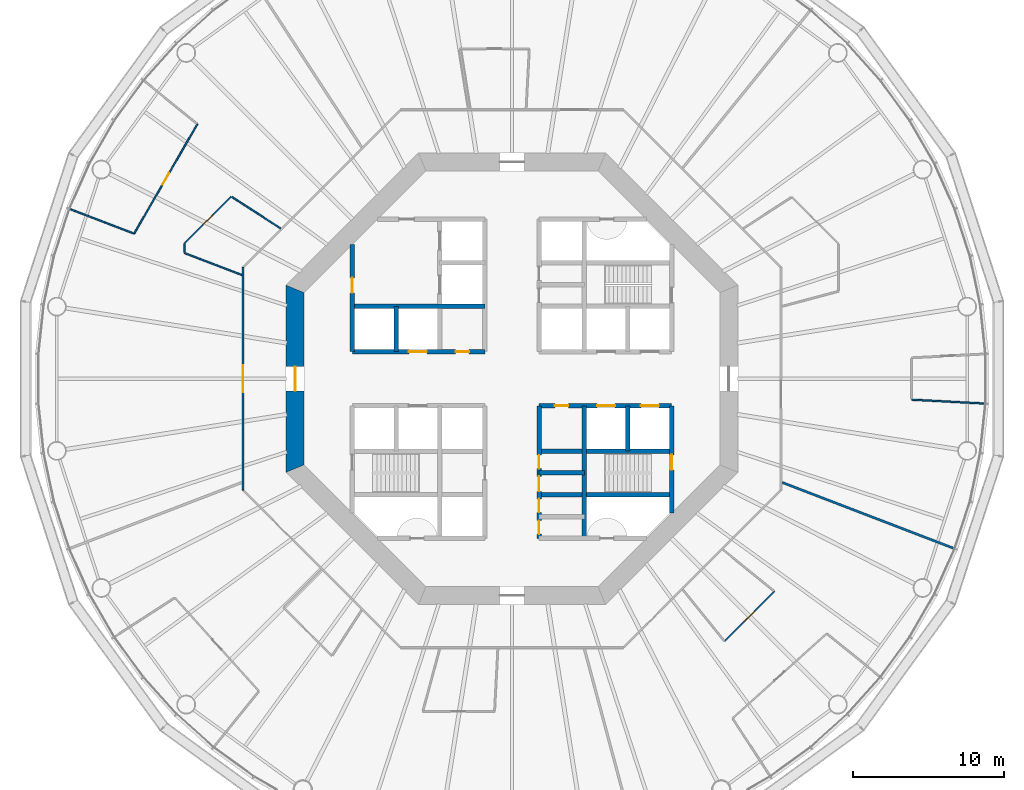
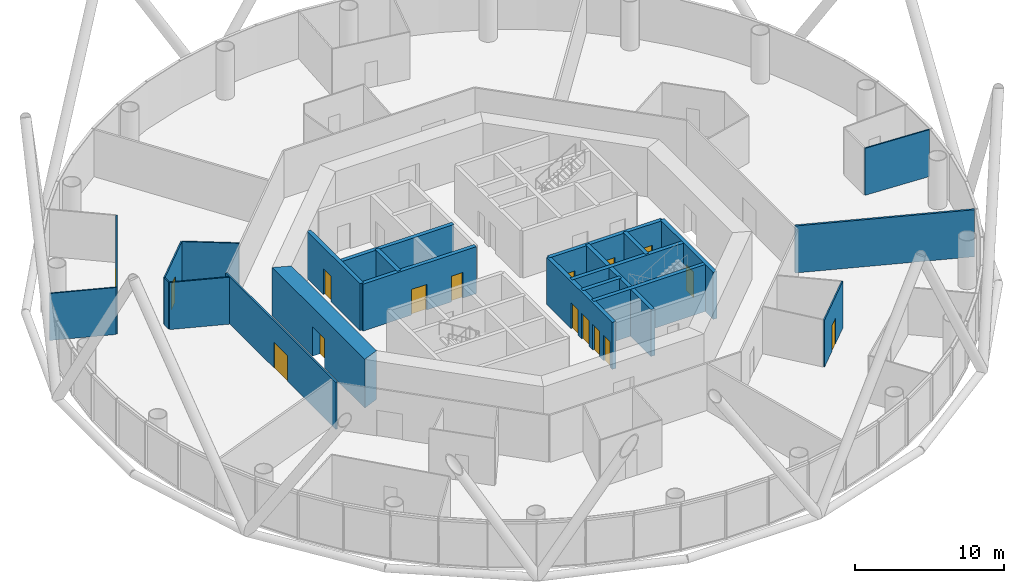
# One storey, part 4 of 13: 23 walls, 16 doors, 16 openings.
"""IFC4 building model written with IfcOpenShell, lengths in metres."""

from ifc_helpers import new_model, si_unit, direction, frame, frame_2d, origin, place, context, subcontext, project, spatial, polyline, rectangle, outline, extrude, material, layer, layer_set, type_object, element, fill, save


model = new_model("IFC4")

# Units and contexts
model_context = context("Model", 3, precision=1e-05, world=origin(), true_north=direction((0.0, 1.0)))
body_context = subcontext(model_context, "Body", "Model", "MODEL_VIEW")
ifc_project = project(units=[si_unit("LENGTHUNIT", "METRE"), si_unit("AREAUNIT", "SQUARE_METRE"), si_unit("VOLUMEUNIT", "CUBIC_METRE"), si_unit("PLANEANGLEUNIT", "RADIAN"), si_unit("MASSUNIT", "GRAM", prefix="KILO")], contexts=[model_context])

# Site, building, storey
site_placement = place(None, origin())
site = spatial("IfcSite", under=ifc_project, at=site_placement, CompositionType="ELEMENT")
building_placement = place(site_placement, origin())
building = spatial("IfcBuilding", under=site, at=building_placement, Name="Entoto Ring Tower", CompositionType="ELEMENT")
storey_placement = place(building_placement, frame((0.0, 0.0, 116.0)))
storey = spatial("IfcBuildingStorey", under=building, at=storey_placement, Name="L26", CompositionType="ELEMENT", Elevation=116.0)

# Wall, opening, door
ifc_material_1 = material(Name="Concrete C40/50", Category="concrete")
ifc_layer_1 = layer(ifc_material_1, 0.300048828125)
ifc_layer_set_1 = layer_set([ifc_layer_1], Name="Concrete C40/50")
wall_type_1 = type_object("IfcWallType", Name="Core enclosure wall 300 mm reinforced concrete", PredefinedType="SOLIDWALL", material=ifc_layer_set_1)
wall_1_placement = place(storey_placement, frame((100.60009765625, 71.083984375, 0.0), z_axis=(0.0, 0.0, 1.0), x_axis=(0.0, 1.0, 0.0)))
wall_1 = element("IfcWall", 1, at=wall_1_placement, inside=storey, type_object=wall_type_1, Name="wall-L26-001", PredefinedType="SOLIDWALL", context=body_context, shape_type="SweptSolid", body=[
    extrude(rectangle(XDim=7.115966796875, YDim=0.300048828125, at=frame_2d((3.55810546875, 0.0))), origin(), (0.0, 0.0, 1.0), 3.85009765625),
])
opening_1_placement = place(wall_1_placement, frame((2.8662109375, 0.0, 0.0)))
opening_1 = element("IfcOpeningElement", 2, at=opening_1_placement, cuts=wall_1, Name="Opening K-22", PredefinedType="OPENING", context=body_context, shape_type="SweptSolid", body=[
    extrude(rectangle(XDim=1.0, YDim=2.10009765625, at=frame_2d((0.5, 1.050048828125))), frame((0.0, 0.16015625, 0.0), z_axis=(0.0, -1.0, 0.0), x_axis=(1.0, 0.0, 0.0)), (0.0, 0.0, 1.0), 0.320068359375),
])
ifc_material_2 = material(Name="Steel door leaf, fire rated", Category="steel")
ifc_layer_2 = layer(ifc_material_2, 0.050048828125)
ifc_layer_set_2 = layer_set([ifc_layer_2], Name="Steel door leaf, fire rated")
door_type_1 = type_object("IfcDoorType", Name="Fire door FD60 1000 x 2100 single leaf", OperationType="NOTDEFINED", PredefinedType="DOOR", material=ifc_layer_set_2)
door_1_placement = place(opening_1_placement, origin())
door_1 = element("IfcDoor", 3, at=door_1_placement, inside=storey, type_object=door_type_1, Name="Door K-22", OperationType="SINGLE_SWING_RIGHT", OverallHeight=2.10009765625, OverallWidth=1.0, PredefinedType="DOOR", context=body_context, shape_type="SweptSolid", body=[
    extrude(rectangle(XDim=1.0, YDim=2.10009765625, at=frame_2d((0.5, 1.050048828125))), frame((0.0, 0.02490234375, 0.0), z_axis=(0.0, -1.0, 0.0), x_axis=(1.0, 0.0, 0.0)), (0.0, 0.0, 1.0), 0.050048828125),
])
fill(opening_1, door_1)

# Walls
wall_2_placement = place(storey_placement, frame((97.699951171875, 75.199951171875, 0.0), z_axis=(0.0, 0.0, 1.0), x_axis=(0.0, 1.0, 0.0)))
element("IfcWall", 4, at=wall_2_placement, inside=storey, type_object=wall_type_1, Name="wall-L26-003", PredefinedType="SOLIDWALL", context=body_context, shape_type="SweptSolid", body=[
    extrude(rectangle(XDim=3.0, YDim=0.300048828125, at=frame_2d((1.5, 0.0))), origin(), (0.0, 0.0, 1.0), 3.85009765625),
])
wall_3_placement = place(storey_placement, frame((94.800048828125, 69.39990234375, 0.0), z_axis=(0.0, 0.0, 1.0), x_axis=(0.0, 1.0, 0.0)))
element("IfcWall", 5, at=wall_3_placement, inside=storey, type_object=wall_type_1, Name="wall-L26-005", PredefinedType="SOLIDWALL", context=body_context, shape_type="SweptSolid", body=[
    extrude(rectangle(XDim=8.800048828125, YDim=0.300048828125, at=frame_2d((4.39990234375, 0.0))), origin(), (0.0, 0.0, 1.0), 3.85009765625),
])

# Wall, openings, doors
wall_4_placement = place(storey_placement, frame((91.800048828125, 69.39990234375, 0.0), z_axis=(0.0, 0.0, 1.0), x_axis=(0.0, 1.0, 0.0)))
wall_4 = element("IfcWall", 6, at=wall_4_placement, inside=storey, type_object=wall_type_1, Name="wall-L26-007", PredefinedType="SOLIDWALL", context=body_context, shape_type="SweptSolid", body=[
    extrude(rectangle(XDim=8.800048828125, YDim=0.300048828125, at=frame_2d((4.39990234375, 0.0))), origin(), (0.0, 0.0, 1.0), 3.85009765625),
])
opening_2_placement = place(wall_4_placement, frame((3.125, 0.0, 0.0)))
opening_2 = element("IfcOpeningElement", 7, at=opening_2_placement, cuts=wall_4, Name="Opening K-13", PredefinedType="OPENING", context=body_context, shape_type="SweptSolid", body=[
    extrude(rectangle(XDim=1.0, YDim=2.10009765625, at=frame_2d((0.5, 1.050048828125))), frame((0.0, 0.16015625, 0.0), z_axis=(0.0, -1.0, 0.0), x_axis=(1.0, 0.0, 0.0)), (0.0, 0.0, 1.0), 0.320068359375),
])
opening_3_placement = place(wall_4_placement, frame((4.625, 0.0, 0.0)))
opening_3 = element("IfcOpeningElement", 8, at=opening_3_placement, cuts=wall_4, Name="Opening K-14", PredefinedType="OPENING", context=body_context, shape_type="SweptSolid", body=[
    extrude(rectangle(XDim=0.89990234375, YDim=2.10009765625, at=frame_2d((0.449951171875, 1.050048828125))), frame((0.0, 0.16015625, 0.0), z_axis=(0.0, -1.0, 0.0), x_axis=(1.0, 0.0, 0.0)), (0.0, 0.0, 1.0), 0.320068359375),
])
opening_4_placement = place(wall_4_placement, frame((0.27490234375, 0.0, 0.0)))
opening_4 = element("IfcOpeningElement", 9, at=opening_4_placement, cuts=wall_4, Name="Opening K-15", PredefinedType="OPENING", context=body_context, shape_type="SweptSolid", body=[
    extrude(rectangle(XDim=0.89990234375, YDim=2.10009765625, at=frame_2d((0.449951171875, 1.050048828125))), frame((0.0, 0.16015625, 0.0), z_axis=(0.0, -1.0, 0.0), x_axis=(1.0, 0.0, 0.0)), (0.0, 0.0, 1.0), 0.320068359375),
])
opening_5_placement = place(wall_4_placement, frame((1.72509765625, 0.0, 0.0)))
opening_5 = element("IfcOpeningElement", 10, at=opening_5_placement, cuts=wall_4, Name="Opening K-16", PredefinedType="OPENING", context=body_context, shape_type="SweptSolid", body=[
    extrude(rectangle(XDim=0.89990234375, YDim=2.10009765625, at=frame_2d((0.449951171875, 1.050048828125))), frame((0.0, 0.16015625, 0.0), z_axis=(0.0, -1.0, 0.0), x_axis=(1.0, 0.0, 0.0)), (0.0, 0.0, 1.0), 0.320068359375),
])
ifc_material_3 = material(Name="Steel door leaf, fire rated", Category="steel")
ifc_layer_3 = layer(ifc_material_3, 0.050048828125)
ifc_layer_set_3 = layer_set([ifc_layer_3], Name="Steel door leaf, fire rated")
door_type_2 = type_object("IfcDoorType", Name="Accessible door 1000 x 2100 single leaf", OperationType="NOTDEFINED", PredefinedType="DOOR", material=ifc_layer_set_3)
door_2_placement = place(opening_2_placement, frame((1.0, 0.0, 0.0), z_axis=(0.0, 0.0, 1.0), x_axis=(-1.0, 0.0, 0.0)))
door_2 = element("IfcDoor", 11, at=door_2_placement, inside=storey, type_object=door_type_2, Name="Door K-13", OperationType="SINGLE_SWING_LEFT", OverallHeight=2.10009765625, OverallWidth=1.0, PredefinedType="DOOR", context=body_context, shape_type="SweptSolid", body=[
    extrude(rectangle(XDim=1.0, YDim=2.10009765625, at=frame_2d((0.5, 1.050048828125))), frame((0.0, 0.02490234375, 0.0), z_axis=(0.0, -1.0, 0.0), x_axis=(1.0, 0.0, 0.0)), (0.0, 0.0, 1.0), 0.050048828125),
])
fill(opening_2, door_2)
ifc_material_4 = material(Name="Steel door leaf, fire rated", Category="steel")
ifc_layer_4 = layer(ifc_material_4, 0.050048828125)
ifc_layer_set_4 = layer_set([ifc_layer_4], Name="Steel door leaf, fire rated")
door_type_3 = type_object("IfcDoorType", Name="Core door 900 x 2100 single leaf", OperationType="NOTDEFINED", PredefinedType="DOOR", material=ifc_layer_set_4)
door_3_placement = place(opening_3_placement, frame((0.89990234375, 0.0, 0.0), z_axis=(0.0, 0.0, 1.0), x_axis=(-1.0, 0.0, 0.0)))
door_3 = element("IfcDoor", 12, at=door_3_placement, inside=storey, type_object=door_type_3, Name="Door K-14", OperationType="SINGLE_SWING_LEFT", OverallHeight=2.10009765625, OverallWidth=0.89990234375, PredefinedType="DOOR", context=body_context, shape_type="SweptSolid", body=[
    extrude(rectangle(XDim=0.89990234375, YDim=2.10009765625, at=frame_2d((0.449951171875, 1.050048828125))), frame((0.0, 0.02490234375, 0.0), z_axis=(0.0, -1.0, 0.0), x_axis=(1.0, 0.0, 0.0)), (0.0, 0.0, 1.0), 0.050048828125),
])
fill(opening_3, door_3)
door_4_placement = place(opening_4_placement, frame((0.89990234375, 0.0, 0.0), z_axis=(0.0, 0.0, 1.0), x_axis=(-1.0, 0.0, 0.0)))
door_4 = element("IfcDoor", 13, at=door_4_placement, inside=storey, type_object=door_type_3, Name="Door K-15", OperationType="SINGLE_SWING_LEFT", OverallHeight=2.10009765625, OverallWidth=0.89990234375, PredefinedType="DOOR", context=body_context, shape_type="SweptSolid", body=[
    extrude(rectangle(XDim=0.89990234375, YDim=2.10009765625, at=frame_2d((0.449951171875, 1.050048828125))), frame((0.0, 0.02490234375, 0.0), z_axis=(0.0, -1.0, 0.0), x_axis=(1.0, 0.0, 0.0)), (0.0, 0.0, 1.0), 0.050048828125),
])
fill(opening_4, door_4)
door_5_placement = place(opening_5_placement, frame((0.89990234375, 0.0, 0.0), z_axis=(0.0, 0.0, 1.0), x_axis=(-1.0, 0.0, 0.0)))
door_5 = element("IfcDoor", 14, at=door_5_placement, inside=storey, type_object=door_type_3, Name="Door K-16", OperationType="SINGLE_SWING_LEFT", OverallHeight=2.10009765625, OverallWidth=0.89990234375, PredefinedType="DOOR", context=body_context, shape_type="SweptSolid", body=[
    extrude(rectangle(XDim=0.89990234375, YDim=2.10009765625, at=frame_2d((0.449951171875, 1.050048828125))), frame((0.0, 0.02490234375, 0.0), z_axis=(0.0, -1.0, 0.0), x_axis=(1.0, 0.0, 0.0)), (0.0, 0.0, 1.0), 0.050048828125),
])
fill(opening_5, door_5)

# Wall
wall_5_placement = place(storey_placement, frame((82.300048828125, 81.800048828125, 0.0), z_axis=(0.0, 0.0, 1.0), x_axis=(0.0, 1.0, 0.0)))
element("IfcWall", 15, at=wall_5_placement, inside=storey, type_object=wall_type_1, Name="wall-L26-014", PredefinedType="SOLIDWALL", context=body_context, shape_type="SweptSolid", body=[
    extrude(rectangle(XDim=3.0, YDim=0.300048828125, at=frame_2d((1.5, 0.0))), origin(), (0.0, 0.0, 1.0), 3.85009765625),
])

# Wall, opening, door
wall_6_placement = place(storey_placement, frame((79.39990234375, 81.800048828125, 0.0), z_axis=(0.0, 0.0, 1.0), x_axis=(0.0, 1.0, 0.0)))
wall_6 = element("IfcWall", 16, at=wall_6_placement, inside=storey, type_object=wall_type_1, Name="wall-L26-016", PredefinedType="SOLIDWALL", context=body_context, shape_type="SweptSolid", body=[
    extrude(rectangle(XDim=7.115966796875, YDim=0.300048828125, at=frame_2d((3.55810546875, 0.0))), origin(), (0.0, 0.0, 1.0), 3.85009765625),
])
opening_6_placement = place(wall_6_placement, frame((3.89990234375, 0.0, 0.0)))
opening_6 = element("IfcOpeningElement", 17, at=opening_6_placement, cuts=wall_6, Name="Opening K-26", PredefinedType="OPENING", context=body_context, shape_type="SweptSolid", body=[
    extrude(rectangle(XDim=1.0, YDim=2.10009765625, at=frame_2d((0.5, 1.050048828125))), frame((0.0, 0.16015625, 0.0), z_axis=(0.0, -1.0, 0.0), x_axis=(1.0, 0.0, 0.0)), (0.0, 0.0, 1.0), 0.320068359375),
])
door_6_placement = place(opening_6_placement, frame((1.0, 0.0, 0.0), z_axis=(0.0, 0.0, 1.0), x_axis=(-1.0, 0.0, 0.0)))
door_6 = element("IfcDoor", 18, at=door_6_placement, inside=storey, type_object=door_type_1, Name="Door K-26", OperationType="SINGLE_SWING_LEFT", OverallHeight=2.10009765625, OverallWidth=1.0, PredefinedType="DOOR", context=body_context, shape_type="SweptSolid", body=[
    extrude(rectangle(XDim=1.0, YDim=2.10009765625, at=frame_2d((0.5, 1.050048828125))), frame((0.0, 0.02490234375, 0.0), z_axis=(0.0, -1.0, 0.0), x_axis=(1.0, 0.0, 0.0)), (0.0, 0.0, 1.0), 0.050048828125),
])
fill(opening_6, door_6)

# Walls
wall_7_placement = place(storey_placement, frame((91.800048828125, 72.300048828125, 0.0), z_axis=(0.0, 0.0, 1.0), x_axis=(1.0, 0.0, 0.0)))
element("IfcWall", 19, at=wall_7_placement, inside=storey, type_object=wall_type_1, Name="wall-L26-021", PredefinedType="SOLIDWALL", context=body_context, shape_type="SweptSolid", body=[
    extrude(rectangle(XDim=8.800048828125, YDim=0.300048828125, at=frame_2d((4.39990234375, 0.0))), origin(), (0.0, 0.0, 1.0), 3.85009765625),
])
wall_8_placement = place(storey_placement, frame((91.800048828125, 73.75, 0.0), z_axis=(0.0, 0.0, 1.0), x_axis=(1.0, 0.0, 0.0)))
element("IfcWall", 20, at=wall_8_placement, inside=storey, type_object=wall_type_1, Name="wall-L26-022", PredefinedType="SOLIDWALL", context=body_context, shape_type="SweptSolid", body=[
    extrude(rectangle(XDim=3.0, YDim=0.300048828125, at=frame_2d((1.5, 0.0))), origin(), (0.0, 0.0, 1.0), 3.85009765625),
])
wall_9_placement = place(storey_placement, frame((91.800048828125, 75.199951171875, 0.0), z_axis=(0.0, 0.0, 1.0), x_axis=(1.0, 0.0, 0.0)))
element("IfcWall", 21, at=wall_9_placement, inside=storey, type_object=wall_type_1, Name="wall-L26-024", PredefinedType="SOLIDWALL", context=body_context, shape_type="SweptSolid", body=[
    extrude(rectangle(XDim=8.800048828125, YDim=0.300048828125, at=frame_2d((4.39990234375, 0.0))), origin(), (0.0, 0.0, 1.0), 3.85009765625),
])

# Wall, openings, doors
wall_10_placement = place(storey_placement, frame((91.800048828125, 78.199951171875, 0.0), z_axis=(0.0, 0.0, 1.0), x_axis=(1.0, 0.0, 0.0)))
wall_10 = element("IfcWall", 22, at=wall_10_placement, inside=storey, type_object=wall_type_1, Name="wall-L26-026", PredefinedType="SOLIDWALL", context=body_context, shape_type="SweptSolid", body=[
    extrude(rectangle(XDim=8.800048828125, YDim=0.300048828125, at=frame_2d((4.39990234375, 0.0))), origin(), (0.0, 0.0, 1.0), 3.85009765625),
])
opening_7_placement = place(wall_10_placement, frame((3.85009765625, 0.0, 0.0)))
opening_7 = element("IfcOpeningElement", 23, at=opening_7_placement, cuts=wall_10, Name="Opening LD", PredefinedType="OPENING", context=body_context, shape_type="SweptSolid", body=[
    extrude(rectangle(XDim=1.199951171875, YDim=2.10009765625, at=frame_2d((0.60009765625, 1.050048828125))), frame((0.0, 0.16015625, 0.0), z_axis=(0.0, -1.0, 0.0), x_axis=(1.0, 0.0, 0.0)), (0.0, 0.0, 1.0), 0.320068359375),
])
opening_8_placement = place(wall_10_placement, frame((6.75, 0.0, 0.0)))
opening_8 = element("IfcOpeningElement", 24, at=opening_8_placement, cuts=wall_10, Name="Opening LD", PredefinedType="OPENING", context=body_context, shape_type="SweptSolid", body=[
    extrude(rectangle(XDim=1.199951171875, YDim=2.10009765625, at=frame_2d((0.60009765625, 1.050048828125))), frame((0.0, 0.16015625, 0.0), z_axis=(0.0, -1.0, 0.0), x_axis=(1.0, 0.0, 0.0)), (0.0, 0.0, 1.0), 0.320068359375),
])
opening_9_placement = place(wall_10_placement, frame((1.050048828125, 0.0, 0.0)))
opening_9 = element("IfcOpeningElement", 25, at=opening_9_placement, cuts=wall_10, Name="Opening K-19", PredefinedType="OPENING", context=body_context, shape_type="SweptSolid", body=[
    extrude(rectangle(XDim=0.89990234375, YDim=2.10009765625, at=frame_2d((0.449951171875, 1.050048828125))), frame((0.0, 0.16015625, 0.0), z_axis=(0.0, -1.0, 0.0), x_axis=(1.0, 0.0, 0.0)), (0.0, 0.0, 1.0), 0.320068359375),
])
door_7_placement = place(opening_9_placement, frame((0.89990234375, 0.0, 0.0), z_axis=(0.0, 0.0, 1.0), x_axis=(-1.0, 0.0, 0.0)))
door_7 = element("IfcDoor", 26, at=door_7_placement, inside=storey, type_object=door_type_3, Name="Door K-19", OperationType="SINGLE_SWING_RIGHT", OverallHeight=2.10009765625, OverallWidth=0.89990234375, PredefinedType="DOOR", context=body_context, shape_type="SweptSolid", body=[
    extrude(rectangle(XDim=0.89990234375, YDim=2.10009765625, at=frame_2d((0.449951171875, 1.050048828125))), frame((0.0, 0.02490234375, 0.0), z_axis=(0.0, -1.0, 0.0), x_axis=(1.0, 0.0, 0.0)), (0.0, 0.0, 1.0), 0.050048828125),
])
fill(opening_9, door_7)
ifc_material_5 = material(Name="Steel and glass door leaf", Category="steel")
ifc_layer_5 = layer(ifc_material_5, 0.050048828125)
ifc_layer_set_5 = layer_set([ifc_layer_5], Name="Steel and glass door leaf")
door_type_4 = type_object("IfcDoorType", Name="Landing door 1200 x 2100 sliding", OperationType="DOUBLE_DOOR_SLIDING", PredefinedType="DOOR", material=ifc_layer_set_5)
door_8_placement = place(opening_7_placement, origin())
door_8 = element("IfcDoor", 27, at=door_8_placement, inside=storey, type_object=door_type_4, Name="Landing door LB4-LR", OperationType="SLIDING_TO_RIGHT", OverallHeight=2.10009765625, OverallWidth=1.199951171875, PredefinedType="DOOR", context=body_context, shape_type="SweptSolid", body=[
    extrude(rectangle(XDim=1.199951171875, YDim=2.10009765625, at=frame_2d((0.60009765625, 1.050048828125))), frame((0.0, 0.02490234375, 0.0), z_axis=(0.0, -1.0, 0.0), x_axis=(1.0, 0.0, 0.0)), (0.0, 0.0, 1.0), 0.050048828125),
])
fill(opening_7, door_8)
door_9_placement = place(opening_8_placement, origin())
door_9 = element("IfcDoor", 28, at=door_9_placement, inside=storey, type_object=door_type_4, Name="Landing door LB5-LR", OperationType="SLIDING_TO_RIGHT", OverallHeight=2.10009765625, OverallWidth=1.199951171875, PredefinedType="DOOR", context=body_context, shape_type="SweptSolid", body=[
    extrude(rectangle(XDim=1.199951171875, YDim=2.10009765625, at=frame_2d((0.60009765625, 1.050048828125))), frame((0.0, 0.02490234375, 0.0), z_axis=(0.0, -1.0, 0.0), x_axis=(1.0, 0.0, 0.0)), (0.0, 0.0, 1.0), 0.050048828125),
])
fill(opening_8, door_9)

wall_11_placement = place(storey_placement, frame((79.39990234375, 81.800048828125, 0.0), z_axis=(0.0, 0.0, 1.0), x_axis=(1.0, 0.0, 0.0)))
wall_11 = element("IfcWall", 29, at=wall_11_placement, inside=storey, type_object=wall_type_1, Name="wall-L26-027", PredefinedType="SOLIDWALL", context=body_context, shape_type="SweptSolid", body=[
    extrude(rectangle(XDim=8.800048828125, YDim=0.300048828125, at=frame_2d((4.39990234375, 0.0))), origin(), (0.0, 0.0, 1.0), 3.85009765625),
])
opening_10_placement = place(wall_11_placement, frame((3.75, 0.0, 0.0)))
opening_10 = element("IfcOpeningElement", 30, at=opening_10_placement, cuts=wall_11, Name="Opening LD", PredefinedType="OPENING", context=body_context, shape_type="SweptSolid", body=[
    extrude(rectangle(XDim=1.199951171875, YDim=2.10009765625, at=frame_2d((0.60009765625, 1.050048828125))), frame((0.0, 0.16015625, 0.0), z_axis=(0.0, -1.0, 0.0), x_axis=(1.0, 0.0, 0.0)), (0.0, 0.0, 1.0), 0.320068359375),
])
opening_11_placement = place(wall_11_placement, frame((6.85009765625, 0.0, 0.0)))
opening_11 = element("IfcOpeningElement", 31, at=opening_11_placement, cuts=wall_11, Name="Opening K-18", PredefinedType="OPENING", context=body_context, shape_type="SweptSolid", body=[
    extrude(rectangle(XDim=0.89990234375, YDim=2.10009765625, at=frame_2d((0.449951171875, 1.050048828125))), frame((0.0, 0.16015625, 0.0), z_axis=(0.0, -1.0, 0.0), x_axis=(1.0, 0.0, 0.0)), (0.0, 0.0, 1.0), 0.320068359375),
])
door_10_placement = place(opening_11_placement, frame((0.89990234375, 0.0, 0.0), z_axis=(0.0, 0.0, 1.0), x_axis=(-1.0, 0.0, 0.0)))
door_10 = element("IfcDoor", 32, at=door_10_placement, inside=storey, type_object=door_type_3, Name="Door K-18", OperationType="SINGLE_SWING_RIGHT", OverallHeight=2.10009765625, OverallWidth=0.89990234375, PredefinedType="DOOR", context=body_context, shape_type="SweptSolid", body=[
    extrude(rectangle(XDim=0.89990234375, YDim=2.10009765625, at=frame_2d((0.449951171875, 1.050048828125))), frame((0.0, 0.02490234375, 0.0), z_axis=(0.0, -1.0, 0.0), x_axis=(1.0, 0.0, 0.0)), (0.0, 0.0, 1.0), 0.050048828125),
])
fill(opening_11, door_10)
door_11_placement = place(opening_10_placement, origin())
door_11 = element("IfcDoor", 33, at=door_11_placement, inside=storey, type_object=door_type_4, Name="Landing door LB3-LR", OperationType="SLIDING_TO_RIGHT", OverallHeight=2.10009765625, OverallWidth=1.199951171875, PredefinedType="DOOR", context=body_context, shape_type="SweptSolid", body=[
    extrude(rectangle(XDim=1.199951171875, YDim=2.10009765625, at=frame_2d((0.60009765625, 1.050048828125))), frame((0.0, 0.02490234375, 0.0), z_axis=(0.0, -1.0, 0.0), x_axis=(1.0, 0.0, 0.0)), (0.0, 0.0, 1.0), 0.050048828125),
])
fill(opening_10, door_11)

# Wall
wall_12_placement = place(storey_placement, frame((79.39990234375, 84.800048828125, 0.0), z_axis=(0.0, 0.0, 1.0), x_axis=(1.0, 0.0, 0.0)))
element("IfcWall", 34, at=wall_12_placement, inside=storey, type_object=wall_type_1, Name="wall-L26-029", PredefinedType="SOLIDWALL", context=body_context, shape_type="SweptSolid", body=[
    extrude(rectangle(XDim=8.800048828125, YDim=0.300048828125, at=frame_2d((4.39990234375, 0.0))), origin(), (0.0, 0.0, 1.0), 3.85009765625),
])

# Wall, opening, door
ifc_material_6 = material(Name="Concrete C60/75", Category="concrete")
ifc_layer_6 = layer(ifc_material_6, 1.199951171875)
ifc_layer_set_6 = layer_set([ifc_layer_6], Name="Concrete C60/75")
wall_type_2 = type_object("IfcWallType", Name="Core shear wall 1200 mm reinforced concrete C60/75", PredefinedType="SHEAR", material=ifc_layer_set_6)
wall_13_placement = place(storey_placement, frame((75.60009765625, 85.964599609375, 0.0), z_axis=(0.0, 0.0, 1.0), x_axis=(0.0, -1.0, 0.0)))
wall_13 = element("IfcWall", 35, at=wall_13_placement, inside=storey, type_object=wall_type_2, Name="wall-L26-core-4", PredefinedType="SHEAR", context=body_context, shape_type="SweptSolid", body=[
    extrude(outline(polyline([(-0.24853515625, -0.60009765625), (12.177734375, -0.60009765625), (11.6806640625, 0.60009765625), (0.24853515625, 0.60009765625), (-0.24853515625, -0.60009765625)])), origin(), (0.0, 0.0, 1.0), 4.0),
])
opening_12_placement = place(wall_13_placement, frame((5.164794921875, 0.0, 0.0)))
opening_12 = element("IfcOpeningElement", 36, at=opening_12_placement, cuts=wall_13, Name="Opening K-03", PredefinedType="OPENING", context=body_context, shape_type="SweptSolid", body=[
    extrude(rectangle(XDim=1.60009765625, YDim=2.39990234375, at=frame_2d((0.800048828125, 1.199951171875))), frame((0.0, 0.60986328125, 0.0), z_axis=(0.0, -1.0, 0.0), x_axis=(1.0, 0.0, 0.0)), (0.0, 0.0, 1.0), 1.219970703125),
])
ifc_material_7 = material(Name="Steel door leaf, fire rated", Category="steel")
ifc_layer_7 = layer(ifc_material_7, 0.050048828125)
ifc_layer_set_7 = layer_set([ifc_layer_7], Name="Steel door leaf, fire rated")
door_type_5 = type_object("IfcDoorType", Name="Entrance door FD60 1600 x 2400 double leaf", OperationType="DOUBLE_DOOR_SINGLE_SWING", PredefinedType="DOOR", material=ifc_layer_set_7)
door_12_placement = place(opening_12_placement, origin())
door_12 = element("IfcDoor", 37, at=door_12_placement, inside=storey, type_object=door_type_5, Name="Entrance door K-03", OperationType="DOUBLE_DOOR_SINGLE_SWING", OverallHeight=2.39990234375, OverallWidth=1.60009765625, PredefinedType="DOOR", context=body_context, shape_type="SweptSolid", body=[
    extrude(rectangle(XDim=1.60009765625, YDim=2.39990234375, at=frame_2d((0.800048828125, 1.199951171875))), frame((0.0, 0.02490234375, 0.0), z_axis=(0.0, -1.0, 0.0), x_axis=(1.0, 0.0, 0.0)), (0.0, 0.0, 1.0), 0.050048828125),
])
fill(opening_12, door_12)

ifc_material_8 = material(Name="Fire-resisting plasterboard on steel studs", Category="steel")
ifc_layer_8 = layer(ifc_material_8, 0.125)
ifc_layer_set_8 = layer_set([ifc_layer_8], Name="Fire-resisting plasterboard on steel studs")
wall_type_3 = type_object("IfcWallType", Name="Corridor wall 125 mm one-hour plasterboard on steel studs", PredefinedType="PARTITIONING", material=ifc_layer_set_8)
wall_14_placement = place(storey_placement, frame((72.137451171875, 72.60107421875, 0.0), z_axis=(0.0, 0.0, 1.0), x_axis=(0.0, 1.0, 0.0)))
wall_14 = element("IfcWall", 38, at=wall_14_placement, inside=storey, type_object=wall_type_3, Name="partition-L26-001", PredefinedType="PARTITIONING", context=body_context, shape_type="SweptSolid", body=[
    extrude(rectangle(XDim=14.7978515625, YDim=0.125, at=frame_2d((7.39892578125, 0.0))), origin(), (0.0, 0.0, 1.0), 3.85009765625),
])
opening_13_placement = place(wall_14_placement, frame((6.498779296875, 0.0, 0.0)))
opening_13 = element("IfcOpeningElement", 39, at=opening_13_placement, cuts=wall_14, Name="Opening A11-D07", PredefinedType="OPENING", context=body_context, shape_type="SweptSolid", body=[
    extrude(rectangle(XDim=1.800048828125, YDim=2.10009765625, at=frame_2d((0.89990234375, 1.050048828125))), frame((0.0, 0.072509765625, 0.0), z_axis=(0.0, -1.0, 0.0), x_axis=(1.0, 0.0, 0.0)), (0.0, 0.0, 1.0), 0.14501953125),
])
ifc_material_9 = material(Name="Fire-resisting timber door set", Category="wood")
door_type_6 = type_object("IfcDoorType", Name="Door 1800 x 2100 double leaf FD30S fire door", OperationType="DOUBLE_DOOR_SINGLE_SWING", PredefinedType="DOOR", material=ifc_material_9)
door_13_placement = place(opening_13_placement, origin())
door_13 = element("IfcDoor", 40, at=door_13_placement, inside=storey, type_object=door_type_6, Name="Door A11-D07", OperationType="DOUBLE_DOOR_SINGLE_SWING", OverallHeight=2.10009765625, OverallWidth=1.800048828125, PredefinedType="DOOR", context=body_context, shape_type="SweptSolid", body=[
    extrude(rectangle(XDim=1.800048828125, YDim=2.10009765625, at=frame_2d((0.89990234375, 1.050048828125))), frame((0.0, 0.02490234375, 0.0), z_axis=(0.0, -1.0, 0.0), x_axis=(1.0, 0.0, 0.0)), (0.0, 0.0, 1.0), 0.050048828125),
])
fill(opening_13, door_13)

ifc_material_10 = material(Name="Plasterboard on steel studs", Category="steel")
ifc_layer_9 = layer(ifc_material_10, 0.10009765625)
ifc_layer_set_9 = layer_set([ifc_layer_9], Name="Plasterboard on steel studs")
wall_type_4 = type_object("IfcWallType", Name="Partition 100 mm plasterboard on steel studs", PredefinedType="PARTITIONING", material=ifc_layer_set_9)
wall_15_placement = place(storey_placement, frame((64.905517578125, 89.6328125, 0.0), z_axis=(0.0, 0.0, 1.0), x_axis=(0.499988825533, 0.86603185527, 0.0)))
wall_15 = element("IfcWall", 41, at=wall_15_placement, inside=storey, type_object=wall_type_4, Name="partition-L26-015", PredefinedType="PARTITIONING", context=body_context, shape_type="SweptSolid", body=[
    extrude(rectangle(XDim=8.409912109375, YDim=0.10009765625, at=frame_2d((4.205078125, 0.0))), origin(), (0.0, 0.0, 1.0), 3.85009765625),
])
opening_14_placement = place(wall_15_placement, frame((3.7548828125, 0.0, 0.0)))
opening_14 = element("IfcOpeningElement", 42, at=opening_14_placement, cuts=wall_15, Name="Opening A11-D09", PredefinedType="OPENING", context=body_context, shape_type="SweptSolid", body=[
    extrude(rectangle(XDim=0.89990234375, YDim=2.10009765625, at=frame_2d((0.449951171875, 1.050048828125))), frame((0.0, 0.06005859375, 0.0), z_axis=(0.0, -1.0, 0.0), x_axis=(1.0, 0.0, 0.0)), (0.0, 0.0, 1.0), 0.1201171875),
])
ifc_material_11 = material(Name="Veneered timber door leaf in timber frame", Category="wood")
door_type_7 = type_object("IfcDoorType", Name="Door 900 x 2100 single leaf timber veneer", OperationType="NOTDEFINED", PredefinedType="DOOR", material=ifc_material_11)
door_14_placement = place(opening_14_placement, origin())
door_14 = element("IfcDoor", 43, at=door_14_placement, inside=storey, type_object=door_type_7, Name="Door A11-D09", OperationType="SINGLE_SWING_RIGHT", OverallHeight=2.10009765625, OverallWidth=0.89990234375, PredefinedType="DOOR", context=body_context, shape_type="SweptSolid", body=[
    extrude(rectangle(XDim=0.89990234375, YDim=2.10009765625, at=frame_2d((0.449951171875, 1.050048828125))), frame((0.0, 0.02490234375, 0.0), z_axis=(0.0, -1.0, 0.0), x_axis=(1.0, 0.0, 0.0)), (0.0, 0.0, 1.0), 0.050048828125),
])
fill(opening_14, door_14)

# Wall
wall_16_placement = place(storey_placement, frame((121.39697265625, 78.3544921875, 0.0), z_axis=(0.0, 0.0, 1.0), x_axis=(-0.998629047007, 0.052345262185, 0.0)))
element("IfcWall", 44, at=wall_16_placement, inside=storey, type_object=wall_type_4, Name="partition-L26-021", PredefinedType="PARTITIONING", context=body_context, shape_type="SweptSolid", body=[
    extrude(rectangle(XDim=4.85986328125, YDim=0.10009765625, at=frame_2d((2.429931640625, 0.0))), origin(), (0.0, 0.0, 1.0), 3.85009765625),
])

# Wall, opening, door
wall_17_placement = place(storey_placement, frame((104.119140625, 62.564453125, 0.0), z_axis=(0.0, 0.0, 1.0), x_axis=(0.707106781187, 0.707106781187, 0.0)))
wall_17 = element("IfcWall", 45, at=wall_17_placement, inside=storey, type_object=wall_type_4, Name="partition-L26-025", PredefinedType="PARTITIONING", context=body_context, shape_type="SweptSolid", body=[
    extrude(rectangle(XDim=4.690185546875, YDim=0.10009765625, at=frame_2d((2.34521484375, 0.0))), origin(), (0.0, 0.0, 1.0), 3.85009765625),
])
opening_15_placement = place(wall_17_placement, frame((1.89501953125, 0.0, 0.0)))
opening_15 = element("IfcOpeningElement", 46, at=opening_15_placement, cuts=wall_17, Name="Opening A11-D15", PredefinedType="OPENING", context=body_context, shape_type="SweptSolid", body=[
    extrude(rectangle(XDim=0.89990234375, YDim=2.10009765625, at=frame_2d((0.449951171875, 1.050048828125))), frame((0.0, 0.06005859375, 0.0), z_axis=(0.0, -1.0, 0.0), x_axis=(1.0, 0.0, 0.0)), (0.0, 0.0, 1.0), 0.1201171875),
])
door_15_placement = place(opening_15_placement, origin())
door_15 = element("IfcDoor", 47, at=door_15_placement, inside=storey, type_object=door_type_7, Name="Door A11-D15", OperationType="SINGLE_SWING_LEFT", OverallHeight=2.10009765625, OverallWidth=0.89990234375, PredefinedType="DOOR", context=body_context, shape_type="SweptSolid", body=[
    extrude(rectangle(XDim=0.89990234375, YDim=2.10009765625, at=frame_2d((0.449951171875, 1.050048828125))), frame((0.0, 0.02490234375, 0.0), z_axis=(0.0, -1.0, 0.0), x_axis=(1.0, 0.0, 0.0)), (0.0, 0.0, 1.0), 0.050048828125),
])
fill(opening_15, door_15)

# Wall
wall_18_placement = place(storey_placement, frame((64.859375, 89.650634765625, 0.0), z_axis=(0.0, 0.0, 1.0), x_axis=(-0.933585328981, 0.358355177876, 0.0)))
element("IfcWall", 48, at=wall_18_placement, inside=storey, type_object=wall_type_4, Name="partition-L26-029", PredefinedType="PARTITIONING", context=body_context, shape_type="SweptSolid", body=[
    extrude(rectangle(XDim=4.5107421875, YDim=0.10009765625, at=frame_2d((2.25537109375, 0.0))), origin(), (0.0, 0.0, 1.0), 3.85009765625),
])

# Wall, opening, door
wall_19_placement = place(storey_placement, frame((68.257568359375, 89.006103515625, 0.0), z_axis=(0.0, 0.0, 1.0), x_axis=(0.707106781187, 0.707106781187, 0.0)))
wall_19 = element("IfcWall", 49, at=wall_19_placement, inside=storey, type_object=wall_type_4, Name="partition-L26-035", PredefinedType="PARTITIONING", context=body_context, shape_type="SweptSolid", body=[
    extrude(rectangle(XDim=4.384521484375, YDim=0.10009765625, at=frame_2d((2.1923828125, 0.0))), origin(), (0.0, 0.0, 1.0), 3.85009765625),
])
opening_16_placement = place(wall_19_placement, frame((1.7421875, 0.0, 0.0)))
opening_16 = element("IfcOpeningElement", 50, at=opening_16_placement, cuts=wall_19, Name="Opening A11-D08", PredefinedType="OPENING", context=body_context, shape_type="SweptSolid", body=[
    extrude(rectangle(XDim=0.89990234375, YDim=2.10009765625, at=frame_2d((0.449951171875, 1.050048828125))), frame((0.0, 0.06005859375, 0.0), z_axis=(0.0, -1.0, 0.0), x_axis=(1.0, 0.0, 0.0)), (0.0, 0.0, 1.0), 0.1201171875),
])
door_16_placement = place(opening_16_placement, frame((0.89990234375, 0.0, 0.0), z_axis=(0.0, 0.0, 1.0), x_axis=(-1.0, 0.0, 0.0)))
door_16 = element("IfcDoor", 51, at=door_16_placement, inside=storey, type_object=door_type_7, Name="Door A11-D08", OperationType="SINGLE_SWING_LEFT", OverallHeight=2.10009765625, OverallWidth=0.89990234375, PredefinedType="DOOR", context=body_context, shape_type="SweptSolid", body=[
    extrude(rectangle(XDim=0.89990234375, YDim=2.10009765625, at=frame_2d((0.449951171875, 1.050048828125))), frame((0.0, 0.02490234375, 0.0), z_axis=(0.0, -1.0, 0.0), x_axis=(1.0, 0.0, 0.0)), (0.0, 0.0, 1.0), 0.050048828125),
])
fill(opening_16, door_16)

# Walls
wall_20_placement = place(storey_placement, frame((72.05712890625, 86.8876953125, 0.0), z_axis=(0.0, 0.0, 1.0), x_axis=(-0.933581951326, 0.358363977204, 0.0)))
element("IfcWall", 52, at=wall_20_placement, inside=storey, type_object=wall_type_4, Name="partition-L26-038", PredefinedType="PARTITIONING", context=body_context, shape_type="SweptSolid", body=[
    extrude(rectangle(XDim=4.06982421875, YDim=0.10009765625, at=frame_2d((2.034912109375, 0.0))), origin(), (0.0, 0.0, 1.0), 3.85009765625),
])
wall_21_placement = place(storey_placement, frame((74.622314453125, 89.986572265625, 0.0), z_axis=(0.0, 0.0, 1.0), x_axis=(-0.83869313556, 0.54460428236, 0.0)))
element("IfcWall", 53, at=wall_21_placement, inside=storey, type_object=wall_type_4, Name="partition-L26-041", PredefinedType="PARTITIONING", context=body_context, shape_type="SweptSolid", body=[
    extrude(rectangle(XDim=3.84375, YDim=0.10009765625, at=frame_2d((1.921875, 0.0))), origin(), (0.0, 0.0, 1.0), 3.85009765625),
])
wall_22_placement = place(storey_placement, frame((68.257568359375, 88.392578125, 0.0), z_axis=(0.0, 0.0, 1.0), x_axis=(0.0, 1.0, 0.0)))
element("IfcWall", 54, at=wall_22_placement, inside=storey, type_object=wall_type_4, Name="partition-L26-048", PredefinedType="PARTITIONING", context=body_context, shape_type="SweptSolid", body=[
    extrude(rectangle(XDim=0.578369140625, YDim=0.10009765625, at=frame_2d((0.2890625, 0.0))), origin(), (0.0, 0.0, 1.0), 3.85009765625),
])
ifc_material_12 = material(Name="Fire-resisting acoustic plasterboard on steel studs", Category="steel")
ifc_layer_10 = layer(ifc_material_12, 0.14990234375)
ifc_layer_set_10 = layer_set([ifc_layer_10], Name="Fire-resisting acoustic plasterboard on steel studs")
wall_type_5 = type_object("IfcWallType", Name="Party wall 150 mm one-hour acoustic plasterboard on steel studs", PredefinedType="PARTITIONING", material=ifc_layer_set_10)
wall_23_placement = place(storey_placement, frame((119.351806640625, 68.73291015625, 0.0), z_axis=(0.0, 0.0, 1.0), x_axis=(-0.933583979108, 0.35835869454, 0.0)))
element("IfcWall", 55, at=wall_23_placement, inside=storey, type_object=wall_type_5, Name="partition-L26-013", PredefinedType="PARTITIONING", context=body_context, shape_type="SweptSolid", body=[
    extrude(rectangle(XDim=12.211181640625, YDim=0.14990234375, at=frame_2d((6.10546875, 0.0))), origin(), (0.0, 0.0, 1.0), 3.85009765625),
])

save(model, "model.ifc")
